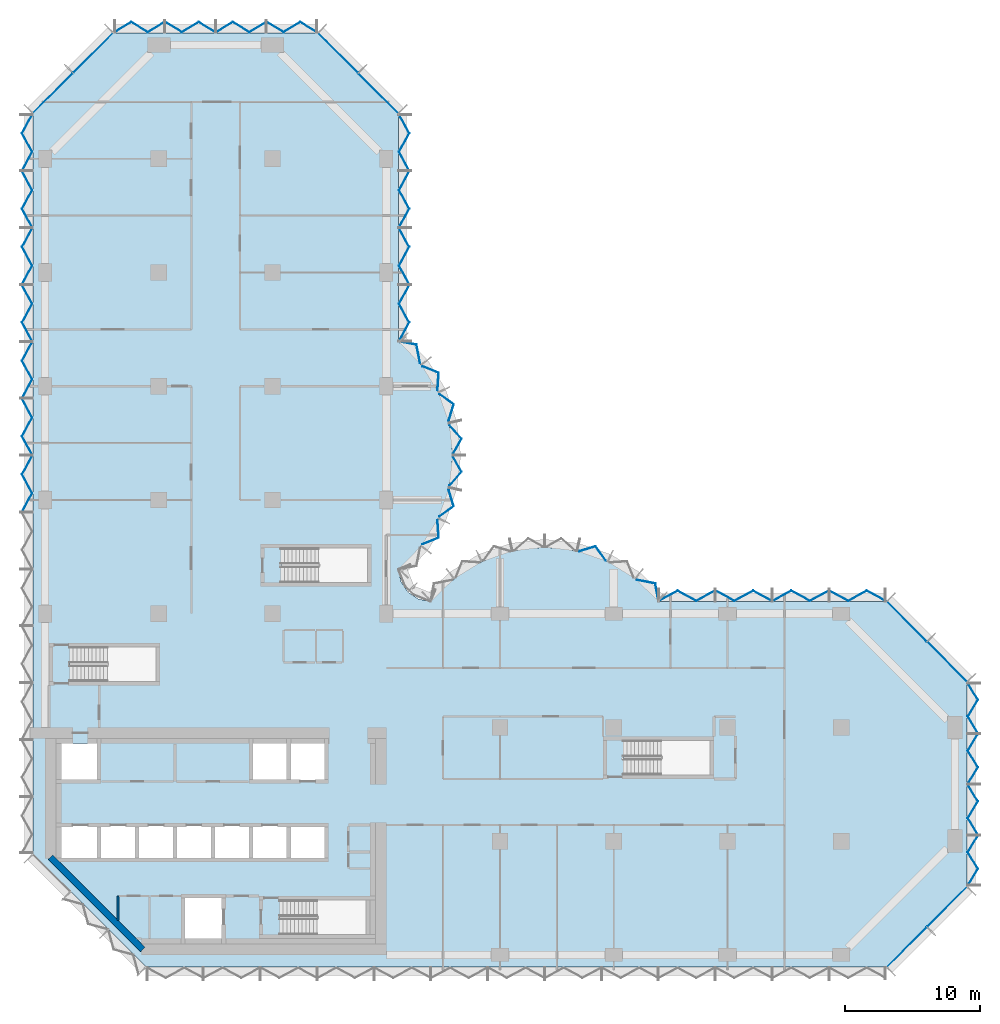
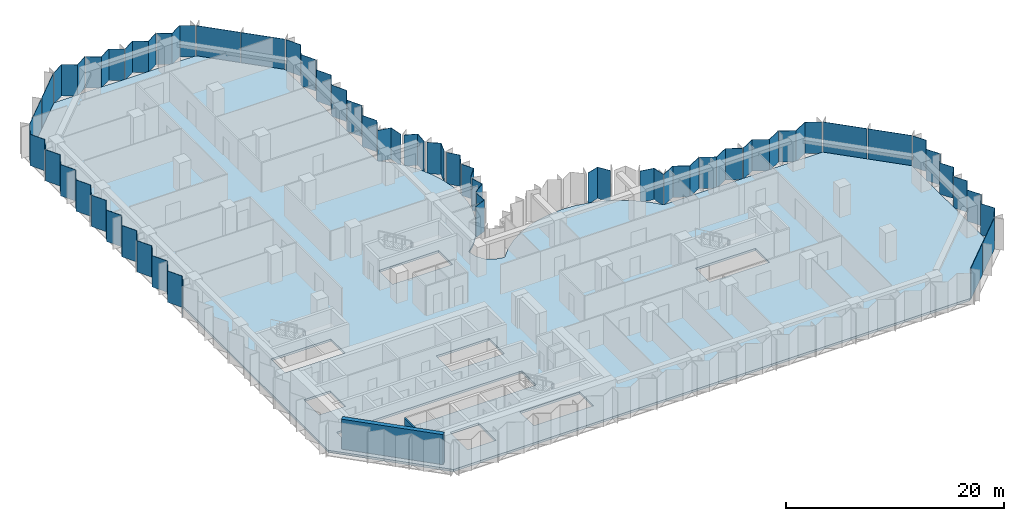
# One storey, part 6 of 13: 40 plates, 2 walls, 1 slab, 11 elements without a shape of their own.
"""IFC4 building model written with IfcOpenShell, lengths in metres."""

from ifc_helpers import new_model, si_unit, direction, frame, frame_2d, origin, place, context, subcontext, project, spatial, polyline, rectangle, outline, extrude, material, layer, layer_set, type_object, element, aggregate, save


model = new_model("IFC4")

# Units and contexts
model_context = context("Model", 3, precision=1e-05, world=origin(), true_north=direction((0.0, 1.0)))
body_context = subcontext(model_context, "Body", "Model", "MODEL_VIEW")
ifc_project = project(units=[si_unit("LENGTHUNIT", "METRE"), si_unit("AREAUNIT", "SQUARE_METRE"), si_unit("VOLUMEUNIT", "CUBIC_METRE"), si_unit("PLANEANGLEUNIT", "RADIAN"), si_unit("MASSUNIT", "GRAM", prefix="KILO")], contexts=[model_context])

# Site, building, storey
site_placement = place(None, origin())
site = spatial("IfcSite", under=ifc_project, at=site_placement, CompositionType="ELEMENT")
building_placement = place(site_placement, origin())
building = spatial("IfcBuilding", under=site, at=building_placement, Name="Brevane Broadcast Tower", CompositionType="ELEMENT")
storey_placement = place(building_placement, frame((0.0, 0.0, 127.699951171875)))
storey = spatial("IfcBuildingStorey", under=building, at=storey_placement, Name="L31", CompositionType="ELEMENT", Elevation=127.699951171875)

# Curtain wall, plates
ifc_material_1 = material(Name="Aluminium 6063-T6 bronze anodised", Category="aluminium")
curtain_wall_type = type_object("IfcCurtainWallType", Name="CW-1 curtain wall", PredefinedType="NOTDEFINED", material=ifc_material_1)
curtain_wall_1_placement = place(storey_placement, origin())
curtain_wall_1 = element("IfcCurtainWall", 1, at=curtain_wall_1_placement, inside=storey, type_object=curtain_wall_type, Name="CW-1 typical tilted unit L31 south-east chamfer", PredefinedType="NOTDEFINED")
ifc_material_2 = material(Name="Laminated glass bronze-tinted", Category="glass")
ifc_layer_1 = layer(ifc_material_2, 0.0400390625)
ifc_layer_set_1 = layer_set([ifc_layer_1], Name="CW tall glass panel 40")
plate_type = type_object("IfcPlateType", Name="CW tall glass panel 40", PredefinedType="CURTAIN_PANEL", material=ifc_layer_set_1)
plate_1_placement = place(storey_placement, frame((0.0, 0.0, -0.14990234375)))
plate_1 = element("IfcPlate", 2, at=plate_1_placement, type_object=plate_type, Name="CW-1 glass panel", PredefinedType="CURTAIN_PANEL", context=body_context, shape_type="SweptSolid", body=[
    extrude(outline(polyline([(62.14599609375, -0.896484375), (65.096435546875, 2.053955078125), (65.124755859375, 2.02587890625), (62.17431640625, -0.9248046875), (62.14599609375, -0.896484375)])), origin(), (0.0, 0.0, 1.0), 3.5),
])
plate_2_placement = place(storey_placement, frame((0.0, 0.0, -0.14990234375)))
plate_2 = element("IfcPlate", 3, at=plate_2_placement, type_object=plate_type, Name="CW-1 glass panel", PredefinedType="CURTAIN_PANEL", context=body_context, shape_type="SweptSolid", body=[
    extrude(outline(polyline([(65.14599609375, 2.103515625), (68.096435546875, 5.053955078125), (68.124755859375, 5.02587890625), (65.17431640625, 2.0751953125), (65.14599609375, 2.103515625)])), origin(), (0.0, 0.0, 1.0), 3.5),
])
aggregate(curtain_wall_1, [plate_1, plate_2])

curtain_wall_2_placement = place(storey_placement, origin())
curtain_wall_2 = element("IfcCurtainWall", 4, at=curtain_wall_2_placement, inside=storey, type_object=curtain_wall_type, Name="CW-1 typical tilted unit L31 east end", PredefinedType="NOTDEFINED")
plate_3_placement = place(storey_placement, frame((0.0, 0.0, -0.14990234375)))
plate_3 = element("IfcPlate", 5, at=plate_3_placement, type_object=plate_type, Name="CW-1 glass panel", PredefinedType="CURTAIN_PANEL", context=body_context, shape_type="SweptSolid", body=[
    extrude(outline(polyline([(68.126708984375, 5.135009765625), (68.17333984375, 5.135009765625), (68.917724609375, 6.36181640625), (68.17333984375, 7.58837890625), (68.917724609375, 8.81494140625), (68.87109375, 8.81494140625), (68.126708984375, 7.58837890625), (68.87109375, 6.36181640625), (68.126708984375, 5.135009765625)])), origin(), (0.0, 0.0, 1.0), 3.5),
])
plate_4_placement = place(storey_placement, frame((0.0, 0.0, -0.14990234375)))
plate_4 = element("IfcPlate", 6, at=plate_4_placement, type_object=plate_type, Name="CW-1 glass panel", PredefinedType="CURTAIN_PANEL", context=body_context, shape_type="SweptSolid", body=[
    extrude(outline(polyline([(68.87109375, 8.885009765625), (68.917724609375, 8.885009765625), (68.17333984375, 10.11181640625), (68.917724609375, 11.33837890625), (68.17333984375, 12.56494140625), (68.126708984375, 12.56494140625), (68.87109375, 11.33837890625), (68.126708984375, 10.11181640625), (68.87109375, 8.885009765625)])), origin(), (0.0, 0.0, 1.0), 3.5),
])
plate_5_placement = place(storey_placement, frame((0.0, 0.0, -0.14990234375)))
plate_5 = element("IfcPlate", 7, at=plate_5_placement, type_object=plate_type, Name="CW-1 glass panel", PredefinedType="CURTAIN_PANEL", context=body_context, shape_type="SweptSolid", body=[
    extrude(outline(polyline([(68.126708984375, 12.635009765625), (68.17333984375, 12.635009765625), (68.917724609375, 13.86181640625), (68.17333984375, 15.08837890625), (68.917724609375, 16.31494140625), (68.87109375, 16.31494140625), (68.126708984375, 15.08837890625), (68.87109375, 13.86181640625), (68.126708984375, 12.635009765625)])), origin(), (0.0, 0.0, 1.0), 3.5),
])
plate_6_placement = place(storey_placement, frame((0.0, 0.0, -0.14990234375)))
plate_6 = element("IfcPlate", 8, at=plate_6_placement, type_object=plate_type, Name="CW-1 glass panel", PredefinedType="CURTAIN_PANEL", context=body_context, shape_type="SweptSolid", body=[
    extrude(outline(polyline([(68.87109375, 16.385009765625), (68.917724609375, 16.385009765625), (68.17333984375, 17.61181640625), (68.917724609375, 18.83837890625), (68.17333984375, 20.06494140625), (68.126708984375, 20.06494140625), (68.87109375, 18.83837890625), (68.126708984375, 17.61181640625), (68.87109375, 16.385009765625)])), origin(), (0.0, 0.0, 1.0), 3.5),
])
aggregate(curtain_wall_2, [plate_3, plate_4, plate_5, plate_6])

curtain_wall_3_placement = place(storey_placement, origin())
curtain_wall_3 = element("IfcCurtainWall", 9, at=curtain_wall_3_placement, inside=storey, type_object=curtain_wall_type, Name="CW-1 typical tilted unit L31 north-east chamfer", PredefinedType="NOTDEFINED")
plate_7_placement = place(storey_placement, frame((0.0, 0.0, -0.14990234375)))
plate_7 = element("IfcPlate", 10, at=plate_7_placement, type_object=plate_type, Name="CW-1 glass panel", PredefinedType="CURTAIN_PANEL", context=body_context, shape_type="SweptSolid", body=[
    extrude(outline(polyline([(68.096435546875, 20.14599609375), (65.14599609375, 23.096435546875), (65.17431640625, 23.124755859375), (68.124755859375, 20.17431640625), (68.096435546875, 20.14599609375)])), origin(), (0.0, 0.0, 1.0), 3.5),
])
plate_8_placement = place(storey_placement, frame((0.0, 0.0, -0.14990234375)))
plate_8 = element("IfcPlate", 11, at=plate_8_placement, type_object=plate_type, Name="CW-1 glass panel", PredefinedType="CURTAIN_PANEL", context=body_context, shape_type="SweptSolid", body=[
    extrude(outline(polyline([(65.096435546875, 23.14599609375), (62.14599609375, 26.096435546875), (62.17431640625, 26.124755859375), (65.124755859375, 23.17431640625), (65.096435546875, 23.14599609375)])), origin(), (0.0, 0.0, 1.0), 3.5),
])
aggregate(curtain_wall_3, [plate_7, plate_8])

curtain_wall_4_placement = place(storey_placement, origin())
curtain_wall_4 = element("IfcCurtainWall", 12, at=curtain_wall_4_placement, inside=storey, type_object=curtain_wall_type, Name="CW-1 typical tilted unit L31 east arm north face", PredefinedType="NOTDEFINED")
plate_9_placement = place(storey_placement, frame((0.0, 0.0, -0.14990234375)))
plate_9 = element("IfcPlate", 13, at=plate_9_placement, type_object=plate_type, Name="CW-1 glass panel", PredefinedType="CURTAIN_PANEL", context=body_context, shape_type="SweptSolid", body=[
    extrude(outline(polyline([(62.06494140625, 26.127197265625), (62.06494140625, 26.172607421875), (60.688232421875, 26.9169921875), (59.311767578125, 26.172607421875), (57.93505859375, 26.9169921875), (57.93505859375, 26.87158203125), (59.311767578125, 26.127197265625), (60.688232421875, 26.87158203125), (62.06494140625, 26.127197265625)])), origin(), (0.0, 0.0, 1.0), 3.5),
])
plate_10_placement = place(storey_placement, frame((0.0, 0.0, -0.14990234375)))
plate_10 = element("IfcPlate", 14, at=plate_10_placement, type_object=plate_type, Name="CW-1 glass panel", PredefinedType="CURTAIN_PANEL", context=body_context, shape_type="SweptSolid", body=[
    extrude(outline(polyline([(57.864990234375, 26.87158203125), (57.864990234375, 26.9169921875), (56.48828125, 26.172607421875), (55.11181640625, 26.9169921875), (53.735107421875, 26.172607421875), (53.735107421875, 26.127197265625), (55.11181640625, 26.87158203125), (56.48828125, 26.127197265625), (57.864990234375, 26.87158203125)])), origin(), (0.0, 0.0, 1.0), 3.5),
])
plate_11_placement = place(storey_placement, frame((0.0, 0.0, -0.14990234375)))
plate_11 = element("IfcPlate", 15, at=plate_11_placement, type_object=plate_type, Name="CW-1 glass panel", PredefinedType="CURTAIN_PANEL", context=body_context, shape_type="SweptSolid", body=[
    extrude(outline(polyline([(53.6650390625, 26.127197265625), (53.6650390625, 26.172607421875), (52.288330078125, 26.9169921875), (50.91162109375, 26.172607421875), (49.534912109375, 26.9169921875), (49.534912109375, 26.87158203125), (50.91162109375, 26.127197265625), (52.288330078125, 26.87158203125), (53.6650390625, 26.127197265625)])), origin(), (0.0, 0.0, 1.0), 3.5),
])
plate_12_placement = place(storey_placement, frame((0.0, 0.0, -0.14990234375)))
plate_12 = element("IfcPlate", 16, at=plate_12_placement, type_object=plate_type, Name="CW-1 glass panel", PredefinedType="CURTAIN_PANEL", context=body_context, shape_type="SweptSolid", body=[
    extrude(outline(polyline([(49.465087890625, 26.87158203125), (49.465087890625, 26.9169921875), (48.08837890625, 26.172607421875), (46.711669921875, 26.9169921875), (45.3349609375, 26.172607421875), (45.3349609375, 26.127197265625), (46.711669921875, 26.87158203125), (48.08837890625, 26.127197265625), (49.465087890625, 26.87158203125)])), origin(), (0.0, 0.0, 1.0), 3.5),
])
aggregate(curtain_wall_4, [plate_9, plate_10, plate_11, plate_12])

curtain_wall_5_placement = place(storey_placement, origin())
curtain_wall_5 = element("IfcCurtainWall", 17, at=curtain_wall_5_placement, inside=storey, type_object=curtain_wall_type, Name="CW-1 typical tilted unit L31 east bow", PredefinedType="NOTDEFINED")
plate_13_placement = place(storey_placement, frame((0.0, 0.0, -0.14990234375)))
plate_13 = element("IfcPlate", 18, at=plate_13_placement, type_object=plate_type, Name="CW-1 glass panel", PredefinedType="CURTAIN_PANEL", context=body_context, shape_type="SweptSolid", body=[
    extrude(outline(polyline([(45.2939453125, 26.14404296875), (45.327880859375, 26.17919921875), (45.086181640625, 27.447265625), (43.738525390625, 27.71142578125), (43.7109375, 27.67626953125), (45.052001953125, 27.4130859375), (45.2939453125, 26.14404296875)])), origin(), (0.0, 0.0, 1.0), 3.5),
])
plate_14_placement = place(storey_placement, frame((0.0, 0.0, -0.14990234375)))
plate_14 = element("IfcPlate", 19, at=plate_14_placement, type_object=plate_type, Name="CW-1 glass panel", PredefinedType="CURTAIN_PANEL", context=body_context, shape_type="SweptSolid", body=[
    extrude(outline(polyline([(41.3994140625, 29.104248046875), (41.4189453125, 29.1455078125), (40.667724609375, 30.20166015625), (39.45068359375, 29.83349609375), (39.440185546875, 29.78857421875), (40.65185546875, 30.155029296875), (41.3994140625, 29.104248046875)])), origin(), (0.0, 0.0, 1.0), 3.5),
])
aggregate(curtain_wall_5, [plate_13, plate_14])

curtain_wall_6_placement = place(storey_placement, origin())
curtain_wall_6 = element("IfcCurtainWall", 20, at=curtain_wall_6_placement, inside=storey, type_object=curtain_wall_type, Name="CW-1 typical tilted unit L31 north bow", PredefinedType="NOTDEFINED")
plate_15_placement = place(storey_placement, frame((0.0, 0.0, -0.14990234375)))
plate_15 = element("IfcPlate", 21, at=plate_15_placement, type_object=plate_type, Name="CW-1 glass panel", PredefinedType="CURTAIN_PANEL", context=body_context, shape_type="SweptSolid", body=[
    extrude(outline(polyline([(27.8759765625, 30.343017578125), (27.912109375, 30.314697265625), (29.089111328125, 30.7958984375), (29.006591796875, 32.08935546875), (28.96533203125, 32.10888671875), (29.04736328125, 30.822265625), (27.8759765625, 30.343017578125)])), origin(), (0.0, 0.0, 1.0), 3.5),
])
plate_16_placement = place(storey_placement, frame((0.0, 0.0, -0.14990234375)))
plate_16 = element("IfcPlate", 22, at=plate_16_placement, type_object=plate_type, Name="CW-1 glass panel", PredefinedType="CURTAIN_PANEL", context=body_context, shape_type="SweptSolid", body=[
    extrude(outline(polyline([(29.104248046875, 32.400634765625), (29.1455078125, 32.381103515625), (30.20166015625, 33.132080078125), (29.83349609375, 34.349365234375), (29.78857421875, 34.359619140625), (30.155029296875, 33.148193359375), (29.104248046875, 32.400634765625)])), origin(), (0.0, 0.0, 1.0), 3.5),
])
plate_17_placement = place(storey_placement, frame((0.0, 0.0, -0.14990234375)))
plate_17 = element("IfcPlate", 23, at=plate_17_placement, type_object=plate_type, Name="CW-1 glass panel", PredefinedType="CURTAIN_PANEL", context=body_context, shape_type="SweptSolid", body=[
    extrude(outline(polyline([(29.859619140625, 34.6748046875), (29.903564453125, 34.664794921875), (30.779296875, 35.68310546875), (30.15869140625, 36.7919921875), (30.11279296875, 36.7919921875), (30.730712890625, 35.68798828125), (29.859619140625, 34.6748046875)])), origin(), (0.0, 0.0, 1.0), 3.5),
])
plate_18_placement = place(storey_placement, frame((0.0, 0.0, -0.14990234375)))
plate_18 = element("IfcPlate", 24, at=plate_18_placement, type_object=plate_type, Name="CW-1 glass panel", PredefinedType="CURTAIN_PANEL", context=body_context, shape_type="SweptSolid", body=[
    extrude(outline(polyline([(30.11279296875, 37.008056640625), (30.15869140625, 37.008056640625), (30.779296875, 38.116943359375), (29.903564453125, 39.13525390625), (29.859619140625, 39.125), (30.730712890625, 38.112060546875), (30.11279296875, 37.008056640625)])), origin(), (0.0, 0.0, 1.0), 3.5),
])
plate_19_placement = place(storey_placement, frame((0.0, 0.0, -0.14990234375)))
plate_19 = element("IfcPlate", 25, at=plate_19_placement, type_object=plate_type, Name="CW-1 glass panel", PredefinedType="CURTAIN_PANEL", context=body_context, shape_type="SweptSolid", body=[
    extrude(outline(polyline([(29.78857421875, 39.440185546875), (29.83349609375, 39.45068359375), (30.20166015625, 40.667724609375), (29.1455078125, 41.4189453125), (29.104248046875, 41.3994140625), (30.155029296875, 40.65185546875), (29.78857421875, 39.440185546875)])), origin(), (0.0, 0.0, 1.0), 3.5),
])
plate_20_placement = place(storey_placement, frame((0.0, 0.0, -0.14990234375)))
plate_20 = element("IfcPlate", 26, at=plate_20_placement, type_object=plate_type, Name="CW-1 glass panel", PredefinedType="CURTAIN_PANEL", context=body_context, shape_type="SweptSolid", body=[
    extrude(outline(polyline([(28.96533203125, 41.69091796875), (29.006591796875, 41.710693359375), (29.089111328125, 43.00390625), (27.912109375, 43.4853515625), (27.8759765625, 43.45703125), (29.04736328125, 42.977783203125), (28.96533203125, 41.69091796875)])), origin(), (0.0, 0.0, 1.0), 3.5),
])
plate_21_placement = place(storey_placement, frame((0.0, 0.0, -0.14990234375)))
plate_21 = element("IfcPlate", 27, at=plate_21_placement, type_object=plate_type, Name="CW-1 glass panel", PredefinedType="CURTAIN_PANEL", context=body_context, shape_type="SweptSolid", body=[
    extrude(outline(polyline([(27.67626953125, 43.7109375), (27.71142578125, 43.738525390625), (27.447265625, 45.086181640625), (26.17919921875, 45.327880859375), (26.14404296875, 45.2939453125), (27.4130859375, 45.052001953125), (27.67626953125, 43.7109375)])), origin(), (0.0, 0.0, 1.0), 3.5),
])
aggregate(curtain_wall_6, [plate_15, plate_16, plate_17, plate_18, plate_19, plate_20, plate_21])

curtain_wall_7_placement = place(storey_placement, origin())
curtain_wall_7 = element("IfcCurtainWall", 28, at=curtain_wall_7_placement, inside=storey, type_object=curtain_wall_type, Name="CW-1 typical tilted unit L31 north arm east face", PredefinedType="NOTDEFINED")
plate_22_placement = place(storey_placement, frame((0.0, 0.0, -0.14990234375)))
plate_22 = element("IfcPlate", 29, at=plate_22_placement, type_object=plate_type, Name="CW-1 glass panel", PredefinedType="CURTAIN_PANEL", context=body_context, shape_type="SweptSolid", body=[
    extrude(outline(polyline([(26.127197265625, 45.3349609375), (26.172607421875, 45.3349609375), (26.9169921875, 46.711669921875), (26.172607421875, 48.08837890625), (26.9169921875, 49.465087890625), (26.87158203125, 49.465087890625), (26.127197265625, 48.08837890625), (26.87158203125, 46.711669921875), (26.127197265625, 45.3349609375)])), origin(), (0.0, 0.0, 1.0), 3.5),
])
plate_23_placement = place(storey_placement, frame((0.0, 0.0, -0.14990234375)))
plate_23 = element("IfcPlate", 30, at=plate_23_placement, type_object=plate_type, Name="CW-1 glass panel", PredefinedType="CURTAIN_PANEL", context=body_context, shape_type="SweptSolid", body=[
    extrude(outline(polyline([(26.87158203125, 49.534912109375), (26.9169921875, 49.534912109375), (26.172607421875, 50.91162109375), (26.9169921875, 52.288330078125), (26.172607421875, 53.6650390625), (26.127197265625, 53.6650390625), (26.87158203125, 52.288330078125), (26.127197265625, 50.91162109375), (26.87158203125, 49.534912109375)])), origin(), (0.0, 0.0, 1.0), 3.5),
])
plate_24_placement = place(storey_placement, frame((0.0, 0.0, -0.14990234375)))
plate_24 = element("IfcPlate", 31, at=plate_24_placement, type_object=plate_type, Name="CW-1 glass panel", PredefinedType="CURTAIN_PANEL", context=body_context, shape_type="SweptSolid", body=[
    extrude(outline(polyline([(26.127197265625, 53.735107421875), (26.172607421875, 53.735107421875), (26.9169921875, 55.11181640625), (26.172607421875, 56.48828125), (26.9169921875, 57.864990234375), (26.87158203125, 57.864990234375), (26.127197265625, 56.48828125), (26.87158203125, 55.11181640625), (26.127197265625, 53.735107421875)])), origin(), (0.0, 0.0, 1.0), 3.5),
])
plate_25_placement = place(storey_placement, frame((0.0, 0.0, -0.14990234375)))
plate_25 = element("IfcPlate", 32, at=plate_25_placement, type_object=plate_type, Name="CW-1 glass panel", PredefinedType="CURTAIN_PANEL", context=body_context, shape_type="SweptSolid", body=[
    extrude(outline(polyline([(26.87158203125, 57.93505859375), (26.9169921875, 57.93505859375), (26.172607421875, 59.311767578125), (26.9169921875, 60.688232421875), (26.172607421875, 62.06494140625), (26.127197265625, 62.06494140625), (26.87158203125, 60.688232421875), (26.127197265625, 59.311767578125), (26.87158203125, 57.93505859375)])), origin(), (0.0, 0.0, 1.0), 3.5),
])
aggregate(curtain_wall_7, [plate_22, plate_23, plate_24, plate_25])

curtain_wall_8_placement = place(storey_placement, origin())
curtain_wall_8 = element("IfcCurtainWall", 33, at=curtain_wall_8_placement, inside=storey, type_object=curtain_wall_type, Name="CW-1 typical tilted unit L31 north arm north-east chamfer", PredefinedType="NOTDEFINED")
plate_26_placement = place(storey_placement, frame((0.0, 0.0, -0.14990234375)))
plate_26 = element("IfcPlate", 34, at=plate_26_placement, type_object=plate_type, Name="CW-1 glass panel", PredefinedType="CURTAIN_PANEL", context=body_context, shape_type="SweptSolid", body=[
    extrude(outline(polyline([(26.096435546875, 62.14599609375), (23.14599609375, 65.096435546875), (23.17431640625, 65.124755859375), (26.124755859375, 62.17431640625), (26.096435546875, 62.14599609375)])), origin(), (0.0, 0.0, 1.0), 3.5),
])
plate_27_placement = place(storey_placement, frame((0.0, 0.0, -0.14990234375)))
plate_27 = element("IfcPlate", 35, at=plate_27_placement, type_object=plate_type, Name="CW-1 glass panel", PredefinedType="CURTAIN_PANEL", context=body_context, shape_type="SweptSolid", body=[
    extrude(outline(polyline([(23.096435546875, 65.14599609375), (20.14599609375, 68.096435546875), (20.17431640625, 68.124755859375), (23.124755859375, 65.17431640625), (23.096435546875, 65.14599609375)])), origin(), (0.0, 0.0, 1.0), 3.5),
])
aggregate(curtain_wall_8, [plate_26, plate_27])

curtain_wall_9_placement = place(storey_placement, origin())
curtain_wall_9 = element("IfcCurtainWall", 36, at=curtain_wall_9_placement, inside=storey, type_object=curtain_wall_type, Name="CW-1 typical tilted unit L31 north end", PredefinedType="NOTDEFINED")
plate_28_placement = place(storey_placement, frame((0.0, 0.0, -0.14990234375)))
plate_28 = element("IfcPlate", 37, at=plate_28_placement, type_object=plate_type, Name="CW-1 glass panel", PredefinedType="CURTAIN_PANEL", context=body_context, shape_type="SweptSolid", body=[
    extrude(outline(polyline([(20.06494140625, 68.126708984375), (20.06494140625, 68.17333984375), (18.83837890625, 68.917724609375), (17.61181640625, 68.17333984375), (16.385009765625, 68.917724609375), (16.385009765625, 68.87109375), (17.61181640625, 68.126708984375), (18.83837890625, 68.87109375), (20.06494140625, 68.126708984375)])), origin(), (0.0, 0.0, 1.0), 3.5),
])
plate_29_placement = place(storey_placement, frame((0.0, 0.0, -0.14990234375)))
plate_29 = element("IfcPlate", 38, at=plate_29_placement, type_object=plate_type, Name="CW-1 glass panel", PredefinedType="CURTAIN_PANEL", context=body_context, shape_type="SweptSolid", body=[
    extrude(outline(polyline([(16.31494140625, 68.87109375), (16.31494140625, 68.917724609375), (15.08837890625, 68.17333984375), (13.86181640625, 68.917724609375), (12.635009765625, 68.17333984375), (12.635009765625, 68.126708984375), (13.86181640625, 68.87109375), (15.08837890625, 68.126708984375), (16.31494140625, 68.87109375)])), origin(), (0.0, 0.0, 1.0), 3.5),
])
plate_30_placement = place(storey_placement, frame((0.0, 0.0, -0.14990234375)))
plate_30 = element("IfcPlate", 39, at=plate_30_placement, type_object=plate_type, Name="CW-1 glass panel", PredefinedType="CURTAIN_PANEL", context=body_context, shape_type="SweptSolid", body=[
    extrude(outline(polyline([(12.56494140625, 68.126708984375), (12.56494140625, 68.17333984375), (11.33837890625, 68.917724609375), (10.11181640625, 68.17333984375), (8.885009765625, 68.917724609375), (8.885009765625, 68.87109375), (10.11181640625, 68.126708984375), (11.33837890625, 68.87109375), (12.56494140625, 68.126708984375)])), origin(), (0.0, 0.0, 1.0), 3.5),
])
plate_31_placement = place(storey_placement, frame((0.0, 0.0, -0.14990234375)))
plate_31 = element("IfcPlate", 40, at=plate_31_placement, type_object=plate_type, Name="CW-1 glass panel", PredefinedType="CURTAIN_PANEL", context=body_context, shape_type="SweptSolid", body=[
    extrude(outline(polyline([(8.81494140625, 68.87109375), (8.81494140625, 68.917724609375), (7.58837890625, 68.17333984375), (6.36181640625, 68.917724609375), (5.135009765625, 68.17333984375), (5.135009765625, 68.126708984375), (6.36181640625, 68.87109375), (7.58837890625, 68.126708984375), (8.81494140625, 68.87109375)])), origin(), (0.0, 0.0, 1.0), 3.5),
])
aggregate(curtain_wall_9, [plate_28, plate_29, plate_30, plate_31])

curtain_wall_10_placement = place(storey_placement, origin())
curtain_wall_10 = element("IfcCurtainWall", 41, at=curtain_wall_10_placement, inside=storey, type_object=curtain_wall_type, Name="CW-1 typical tilted unit L31 north-west chamfer", PredefinedType="NOTDEFINED")
plate_32_placement = place(storey_placement, frame((0.0, 0.0, -0.14990234375)))
plate_32 = element("IfcPlate", 42, at=plate_32_placement, type_object=plate_type, Name="CW-1 glass panel", PredefinedType="CURTAIN_PANEL", context=body_context, shape_type="SweptSolid", body=[
    extrude(outline(polyline([(5.053955078125, 68.096435546875), (2.103515625, 65.14599609375), (2.0751953125, 65.17431640625), (5.02587890625, 68.124755859375), (5.053955078125, 68.096435546875)])), origin(), (0.0, 0.0, 1.0), 3.5),
])
plate_33_placement = place(storey_placement, frame((0.0, 0.0, -0.14990234375)))
plate_33 = element("IfcPlate", 43, at=plate_33_placement, type_object=plate_type, Name="CW-1 glass panel", PredefinedType="CURTAIN_PANEL", context=body_context, shape_type="SweptSolid", body=[
    extrude(outline(polyline([(2.053955078125, 65.096435546875), (-0.896484375, 62.14599609375), (-0.9248046875, 62.17431640625), (2.02587890625, 65.124755859375), (2.053955078125, 65.096435546875)])), origin(), (0.0, 0.0, 1.0), 3.5),
])
aggregate(curtain_wall_10, [plate_32, plate_33])

curtain_wall_11_placement = place(storey_placement, origin())
curtain_wall_11 = element("IfcCurtainWall", 44, at=curtain_wall_11_placement, inside=storey, type_object=curtain_wall_type, Name="CW-1 typical tilted unit L31 west face", PredefinedType="NOTDEFINED")
plate_34_placement = place(storey_placement, frame((0.0, 0.0, -0.14990234375)))
plate_34 = element("IfcPlate", 45, at=plate_34_placement, type_object=plate_type, Name="CW-1 glass panel", PredefinedType="CURTAIN_PANEL", context=body_context, shape_type="SweptSolid", body=[
    extrude(outline(polyline([(-0.92724609375, 62.06494140625), (-0.97265625, 62.06494140625), (-1.717041015625, 60.688232421875), (-0.97265625, 59.311767578125), (-1.717041015625, 57.93505859375), (-1.671630859375, 57.93505859375), (-0.92724609375, 59.311767578125), (-1.671630859375, 60.688232421875), (-0.92724609375, 62.06494140625)])), origin(), (0.0, 0.0, 1.0), 3.5),
])
plate_35_placement = place(storey_placement, frame((0.0, 0.0, -0.14990234375)))
plate_35 = element("IfcPlate", 46, at=plate_35_placement, type_object=plate_type, Name="CW-1 glass panel", PredefinedType="CURTAIN_PANEL", context=body_context, shape_type="SweptSolid", body=[
    extrude(outline(polyline([(-1.671630859375, 57.864990234375), (-1.717041015625, 57.864990234375), (-0.97265625, 56.48828125), (-1.717041015625, 55.11181640625), (-0.97265625, 53.735107421875), (-0.92724609375, 53.735107421875), (-1.671630859375, 55.11181640625), (-0.92724609375, 56.48828125), (-1.671630859375, 57.864990234375)])), origin(), (0.0, 0.0, 1.0), 3.5),
])
plate_36_placement = place(storey_placement, frame((0.0, 0.0, -0.14990234375)))
plate_36 = element("IfcPlate", 47, at=plate_36_placement, type_object=plate_type, Name="CW-1 glass panel", PredefinedType="CURTAIN_PANEL", context=body_context, shape_type="SweptSolid", body=[
    extrude(outline(polyline([(-0.92724609375, 53.6650390625), (-0.97265625, 53.6650390625), (-1.717041015625, 52.288330078125), (-0.97265625, 50.91162109375), (-1.717041015625, 49.534912109375), (-1.671630859375, 49.534912109375), (-0.92724609375, 50.91162109375), (-1.671630859375, 52.288330078125), (-0.92724609375, 53.6650390625)])), origin(), (0.0, 0.0, 1.0), 3.5),
])
plate_37_placement = place(storey_placement, frame((0.0, 0.0, -0.14990234375)))
plate_37 = element("IfcPlate", 48, at=plate_37_placement, type_object=plate_type, Name="CW-1 glass panel", PredefinedType="CURTAIN_PANEL", context=body_context, shape_type="SweptSolid", body=[
    extrude(outline(polyline([(-1.671630859375, 49.465087890625), (-1.717041015625, 49.465087890625), (-0.97265625, 48.08837890625), (-1.717041015625, 46.711669921875), (-0.97265625, 45.3349609375), (-0.92724609375, 45.3349609375), (-1.671630859375, 46.711669921875), (-0.92724609375, 48.08837890625), (-1.671630859375, 49.465087890625)])), origin(), (0.0, 0.0, 1.0), 3.5),
])
plate_38_placement = place(storey_placement, frame((0.0, 0.0, -0.14990234375)))
plate_38 = element("IfcPlate", 49, at=plate_38_placement, type_object=plate_type, Name="CW-1 glass panel", PredefinedType="CURTAIN_PANEL", context=body_context, shape_type="SweptSolid", body=[
    extrude(outline(polyline([(-0.92724609375, 45.264892578125), (-0.97265625, 45.264892578125), (-1.717041015625, 43.88818359375), (-0.97265625, 42.51171875), (-1.717041015625, 41.135009765625), (-1.671630859375, 41.135009765625), (-0.92724609375, 42.51171875), (-1.671630859375, 43.88818359375), (-0.92724609375, 45.264892578125)])), origin(), (0.0, 0.0, 1.0), 3.5),
])
plate_39_placement = place(storey_placement, frame((0.0, 0.0, -0.14990234375)))
plate_39 = element("IfcPlate", 50, at=plate_39_placement, type_object=plate_type, Name="CW-1 glass panel", PredefinedType="CURTAIN_PANEL", context=body_context, shape_type="SweptSolid", body=[
    extrude(outline(polyline([(-1.671630859375, 41.06494140625), (-1.717041015625, 41.06494140625), (-0.97265625, 39.688232421875), (-1.717041015625, 38.311767578125), (-0.97265625, 36.93505859375), (-0.92724609375, 36.93505859375), (-1.671630859375, 38.311767578125), (-0.92724609375, 39.688232421875), (-1.671630859375, 41.06494140625)])), origin(), (0.0, 0.0, 1.0), 3.5),
])
plate_40_placement = place(storey_placement, frame((0.0, 0.0, -0.14990234375)))
plate_40 = element("IfcPlate", 51, at=plate_40_placement, type_object=plate_type, Name="CW-1 glass panel", PredefinedType="CURTAIN_PANEL", context=body_context, shape_type="SweptSolid", body=[
    extrude(outline(polyline([(-0.92724609375, 36.864990234375), (-0.97265625, 36.864990234375), (-1.717041015625, 35.48828125), (-0.97265625, 34.11181640625), (-1.717041015625, 32.735107421875), (-1.671630859375, 32.735107421875), (-0.92724609375, 34.11181640625), (-1.671630859375, 35.48828125), (-0.92724609375, 36.864990234375)])), origin(), (0.0, 0.0, 1.0), 3.5),
])
aggregate(curtain_wall_11, [plate_34, plate_35, plate_36, plate_37, plate_38, plate_39, plate_40])

# Slab
ifc_material_3 = material(Name="Concrete C40/50", Category="concrete")
ifc_layer_2 = layer(ifc_material_3, 0.25)
ifc_layer_set_2 = layer_set([ifc_layer_2], Name="RC FLOOR SLAB 250 C40/50")
slab_type = type_object("IfcSlabType", Name="RC FLOOR SLAB 250 C40/50", PredefinedType="FLOOR", material=ifc_layer_set_2)
slab_placement = place(storey_placement, frame((0.0, 0.0, -0.25)))
element("IfcSlab", 52, at=slab_placement, inside=storey, type_object=slab_type, Name="SL250 L31", PredefinedType="FLOOR", context=body_context, shape_type="SweptSolid", body=[
    extrude(outline(polyline([(-0.89990234375, 7.5), (-0.89990234375, 62.10009765625), (5.10009765625, 68.10009765625), (20.10009765625, 68.10009765625), (26.10009765625, 62.10009765625), (26.10009765625, 45.300048828125), (27.10888671875, 44.36865234375), (27.99169921875, 43.317138671875), (28.734130859375, 42.162353515625), (29.324462890625, 40.922607421875), (29.7529296875, 39.618408203125), (30.012939453125, 38.270263671875), (30.10009765625, 36.89990234375), (30.012939453125, 35.52978515625), (29.7529296875, 34.181640625), (29.324462890625, 32.877197265625), (28.734130859375, 31.6376953125), (27.99169921875, 30.48291015625), (27.10888671875, 29.431396484375), (26.10009765625, 28.5), (26.28271484375, 27.58154296875), (26.802978515625, 26.802978515625), (27.58154296875, 26.28271484375), (28.5, 26.10009765625), (29.431396484375, 27.10888671875), (30.48291015625, 27.99169921875), (31.6376953125, 28.734130859375), (32.877197265625, 29.324462890625), (34.181640625, 29.7529296875), (35.52978515625, 30.012939453125), (36.89990234375, 30.10009765625), (38.270263671875, 30.012939453125), (39.618408203125, 29.7529296875), (40.922607421875, 29.324462890625), (42.162353515625, 28.734130859375), (43.317138671875, 27.99169921875), (44.36865234375, 27.10888671875), (45.300048828125, 26.10009765625), (62.10009765625, 26.10009765625), (68.10009765625, 20.10009765625), (68.10009765625, 5.10009765625), (62.10009765625, -0.89990234375), (7.5, -0.89990234375), (-0.89990234375, 7.5)]), holes=[polyline([(13.199951171875, 4.39990234375), (10.199951171875, 4.39990234375), (10.199951171875, 1.199951171875), (13.199951171875, 1.199951171875), (13.199951171875, 4.39990234375)]), polyline([(4.0, 9.60009765625), (1.199951171875, 9.60009765625), (1.199951171875, 7.0), (4.0, 7.0), (6.800048828125, 7.0), (9.60009765625, 7.0), (12.39990234375, 7.0), (15.199951171875, 7.0), (18.0, 7.0), (20.800048828125, 7.0), (20.800048828125, 9.60009765625), (18.0, 9.60009765625), (15.199951171875, 9.60009765625), (12.39990234375, 9.60009765625), (9.60009765625, 9.60009765625), (6.800048828125, 9.60009765625), (4.0, 9.60009765625)]), polyline([(4.0, 12.800048828125), (4.0, 15.60009765625), (1.199951171875, 15.60009765625), (1.199951171875, 12.800048828125), (4.0, 12.800048828125)]), polyline([(8.199951171875, 22.75), (1.860107421875, 22.75), (1.860107421875, 20.199951171875), (8.199951171875, 20.199951171875), (8.199951171875, 22.75)]), polyline([(23.699951171875, 4.050048828125), (17.360107421875, 4.050048828125), (17.360107421875, 1.5), (23.699951171875, 1.5), (23.699951171875, 4.050048828125)]), polyline([(18.0, 15.60009765625), (15.199951171875, 15.60009765625), (15.199951171875, 12.800048828125), (18.0, 12.800048828125), (20.800048828125, 12.800048828125), (20.800048828125, 15.60009765625), (18.0, 15.60009765625)]), polyline([(49.10009765625, 15.85009765625), (42.760009765625, 15.85009765625), (42.760009765625, 13.300048828125), (49.10009765625, 13.300048828125), (49.10009765625, 15.85009765625)]), polyline([(23.800048828125, 30.050048828125), (17.4599609375, 30.050048828125), (17.4599609375, 27.5), (23.800048828125, 27.5), (23.800048828125, 30.050048828125)])]), origin(), (0.0, 0.0, 1.0), 0.25),
])

# Walls
ifc_material_4 = material(Name="Gypsum board on steel studs", Category="steel")
ifc_layer_3 = layer(ifc_material_4, 0.14990234375)
ifc_layer_set_3 = layer_set([ifc_layer_3], Name="Core fire partition 150 mm")
wall_type_1 = type_object("IfcWallType", Name="Core fire partition 150 mm", PredefinedType="PARTITIONING", material=ifc_layer_set_3)
wall_1_placement = place(storey_placement, frame((5.39990234375, 2.553466796875, 0.0), z_axis=(0.0, 0.0, 1.0), x_axis=(0.0, 1.0, 0.0)))
element("IfcWall", 53, at=wall_1_placement, inside=storey, type_object=wall_type_1, Name="L31 partition wall P10", PredefinedType="PARTITIONING", context=body_context, shape_type="SweptSolid", body=[
    extrude(rectangle(XDim=1.796630859375, YDim=0.14990234375, at=frame_2d((0.8984375, 0.0))), origin(), (0.0, 0.0, 1.0), 3.35009765625),
])
ifc_material_5 = material(Name="Concrete C60/75", Category="concrete")
ifc_layer_4 = layer(ifc_material_5, 0.449951171875)
ifc_layer_set_4 = layer_set([ifc_layer_4], Name="Core wall 450 mm C60/75")
wall_type_2 = type_object("IfcWallType", Name="Core wall 450 mm C60/75", PredefinedType="SHEAR", material=ifc_layer_set_4)
wall_2_placement = place(storey_placement, frame((0.39990234375, 7.21826171875, 0.0), z_axis=(0.0, 0.0, 1.0), x_axis=(0.707106781187, -0.707106781187, 0.0)))
element("IfcWall", 54, at=wall_2_placement, inside=storey, type_object=wall_type_2, Name="L31 outer wall WC", PredefinedType="SHEAR", context=body_context, shape_type="SweptSolid", body=[
    extrude(rectangle(XDim=9.642578125, YDim=0.449951171875, at=frame_2d((4.8212890625, 0.0))), origin(), (0.0, 0.0, 1.0), 3.35009765625),
])

save(model, "model.ifc")
